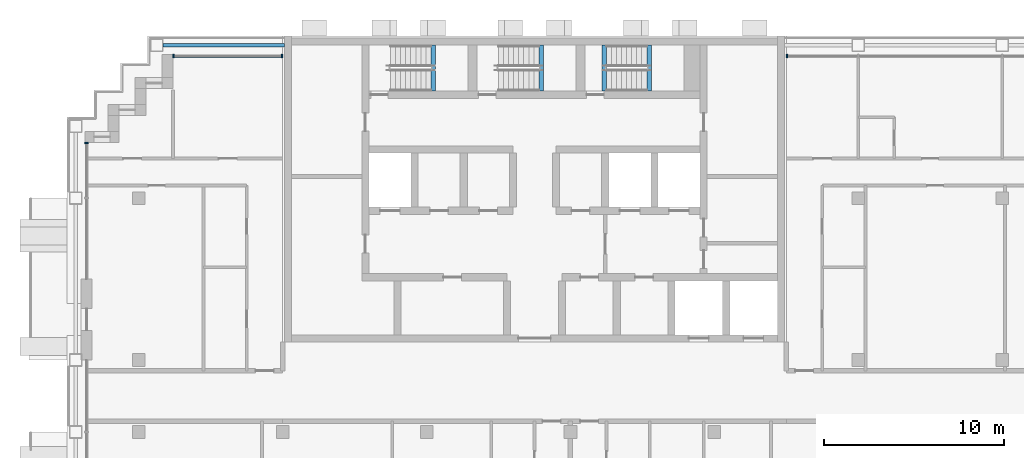
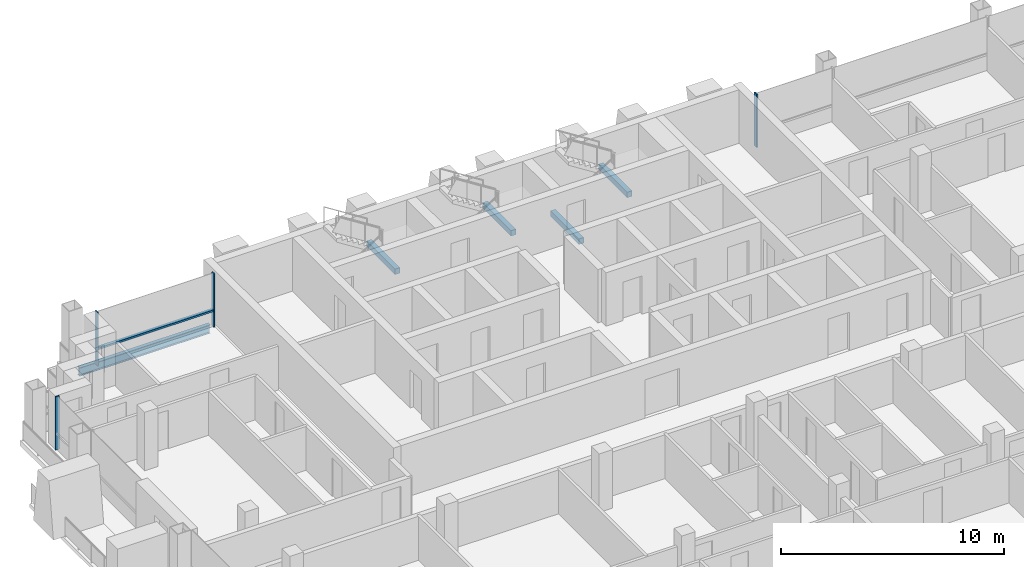
# One storey, part 4 of 16: 5 beams, 5 members, 3 elements without a shape of their own.
"""IFC4 building model written with IfcOpenShell, lengths in metres."""

from ifc_helpers import new_model, si_unit, direction, frame, origin, origin_2d, place, context, subcontext, project, spatial, rectangle, i_section, extrude, material, material_profile, profile_set, type_object, element, aggregate, save


model = new_model("IFC4")

# Units and contexts
model_context = context("Model", 3, precision=1e-05, world=origin(), true_north=direction((0.0, 1.0)))
body_context = subcontext(model_context, "Body", "Model", "MODEL_VIEW")
ifc_project = project(units=[si_unit("LENGTHUNIT", "METRE"), si_unit("AREAUNIT", "SQUARE_METRE"), si_unit("VOLUMEUNIT", "CUBIC_METRE"), si_unit("PLANEANGLEUNIT", "RADIAN"), si_unit("MASSUNIT", "GRAM", prefix="KILO")], contexts=[model_context])

# Site, building, storey
site_placement = place(None, origin())
site = spatial("IfcSite", under=ifc_project, at=site_placement, CompositionType="ELEMENT")
building_placement = place(site_placement, origin())
building = spatial("IfcBuilding", under=site, at=building_placement, Name="Vidyagriha Tower", CompositionType="ELEMENT")
storey_placement = place(building_placement, frame((0.0, 0.0, 174.89990234375)))
storey = spatial("IfcBuildingStorey", under=building, at=storey_placement, Name="L45", CompositionType="ELEMENT", Elevation=174.89990234375)

# Beam
ifc_material_1 = material(Name="Steel ASTM A992 Grade 50", Category="steel")
ifc_material_profile_1 = material_profile(ifc_material_1, i_section(OverallWidth=0.19189453125, OverallDepth=0.46240234375, WebThickness=0.010498046875, FlangeThickness=0.017578125, at=origin_2d()), Name="W18X60")
ifc_profile_set_1 = profile_set([ifc_material_profile_1], Name="Steel ASTM A992 Grade 50")
beam_type_1 = type_object("IfcBeamType", Name="Edge beam W18X60", PredefinedType="SPANDREL", material=ifc_profile_set_1)
beam_placement = place(storey_placement, frame((-20.64990234375, 19.5, -0.510986328125), z_axis=(1.0, 0.0, 0.0), x_axis=(0.0, 1.0, 0.0)))
element("IfcBeam", 1, at=beam_placement, inside=storey, type_object=beam_type_1, Name="st-beam-L45-NC20", PredefinedType="SPANDREL", context=body_context, shape_type="SweptSolid", body=[
    extrude(i_section(OverallWidth=0.19189453125, OverallDepth=0.46240234375, WebThickness=0.010498046875, FlangeThickness=0.017578125, at=origin_2d()), origin(), (0.0, 0.0, 1.0), 6.75),
])

# Curtain wall, member
ifc_material_2 = material(Name="Aluminium and glass curtain wall", Category="aluminium")
curtain_wall_type = type_object("IfcCurtainWallType", Name="Dwelling skin unitised curtain wall", PredefinedType="USERDEFINED", material=ifc_material_2)
curtain_wall_1_placement = place(storey_placement, origin())
curtain_wall_1 = element("IfcCurtainWall", 2, at=curtain_wall_1_placement, inside=storey, type_object=curtain_wall_type, Name="CW1 dwelling skin", ObjectType="UNITISED", PredefinedType="USERDEFINED")
ifc_material_3 = material(Name="Aluminium black anodised", Category="aluminium")
ifc_material_profile_2 = material_profile(ifc_material_3, rectangle(XDim=0.199951171875, YDim=0.070068359375, at=origin_2d()), Name="Mullion 70x200 black aluminium")
ifc_profile_set_2 = profile_set([ifc_material_profile_2], Name="Aluminium black anodised")
member_type_1 = type_object("IfcMemberType", Name="Mullion 70x200 black aluminium", PredefinedType="MULLION", material=ifc_profile_set_2)
member_1_placement = place(storey_placement, frame((14.034912109375, 18.89990234375, 0.0), z_axis=(0.0, 0.0, 1.0), x_axis=(0.0, -1.0, 0.0)))
member_1 = element("IfcMember", 3, at=member_1_placement, type_object=member_type_1, Name="CW1 mullion 4", PredefinedType="MULLION", context=body_context, shape_type="SweptSolid", body=[
    extrude(rectangle(XDim=0.199951171875, YDim=0.070068359375, at=origin_2d()), origin(), (0.0, 0.0, 1.0), 2.920166015625),
])
aggregate(curtain_wall_1, [member_1])

# Curtain wall, members
curtain_wall_2_placement = place(storey_placement, origin())
curtain_wall_2 = element("IfcCurtainWall", 4, at=curtain_wall_2_placement, inside=storey, type_object=curtain_wall_type, Name="CW1 dwelling skin", ObjectType="UNITISED", PredefinedType="USERDEFINED")
member_2_placement = place(storey_placement, frame((-14.034912109375, 18.89990234375, 0.0), z_axis=(0.0, 0.0, 1.0), x_axis=(0.0, -1.0, 0.0)))
member_2 = element("IfcMember", 5, at=member_2_placement, type_object=member_type_1, Name="CW1 mullion 1", PredefinedType="MULLION", context=body_context, shape_type="SweptSolid", body=[
    extrude(rectangle(XDim=0.199951171875, YDim=0.070068359375, at=origin_2d()), origin(), (0.0, 0.0, 1.0), 2.920166015625),
])
member_3_placement = place(storey_placement, frame((-20.06494140625, 18.89990234375, 0.0), z_axis=(0.0, 0.0, 1.0), x_axis=(0.0, -1.0, 0.0)))
member_3 = element("IfcMember", 6, at=member_3_placement, type_object=member_type_1, Name="CW1 mullion 2", PredefinedType="MULLION", context=body_context, shape_type="SweptSolid", body=[
    extrude(rectangle(XDim=0.199951171875, YDim=0.070068359375, at=origin_2d()), origin(), (0.0, 0.0, 1.0), 2.920166015625),
])

# Curtain wall, member
curtain_wall_3_placement = place(storey_placement, origin())
curtain_wall_3 = element("IfcCurtainWall", 7, at=curtain_wall_3_placement, inside=storey, type_object=curtain_wall_type, Name="CW1 dwelling skin", ObjectType="UNITISED", PredefinedType="USERDEFINED")
member_4_placement = place(storey_placement, frame((-24.89990234375, 14.06494140625, 0.0)))
member_4 = element("IfcMember", 8, at=member_4_placement, type_object=member_type_1, Name="CW1 mullion 1", PredefinedType="MULLION", context=body_context, shape_type="SweptSolid", body=[
    extrude(rectangle(XDim=0.199951171875, YDim=0.070068359375, at=origin_2d()), origin(), (0.0, 0.0, 1.0), 2.920166015625),
])
aggregate(curtain_wall_3, [member_4])

# Beams
ifc_material_4 = material(Name="Concrete C40/50", Category="concrete")
ifc_material_profile_3 = material_profile(ifc_material_4, rectangle(XDim=0.25, YDim=0.300048828125, at=origin_2d()), Name="Stair landing bearing beam 250x300")
ifc_profile_set_3 = profile_set([ifc_material_profile_3], Name="Concrete C40/50")
beam_type_2 = type_object("IfcBeamType", Name="Stair landing bearing beam 250x300", PredefinedType="BEAM", material=ifc_profile_set_3)
for number, where, z_axis, x_axis, name in (
    (9, (3.875, 16.949951171875, -0.429931640625), (0.0, 1.0, 0.0), (-1.0, 0.0, 0.0), "ST3 floor landing bearing beam L45"),
    (10, (-5.635009765625, 16.949951171875, 1.25), (0.0, 1.0, 0.0), (-1.0, 0.0, 0.0), "ST1 landing bearing beam L45"),
    (11, (0.364990234375, 16.949951171875, 1.25), (0.0, 1.0, 0.0), (-1.0, 0.0, 0.0), "ST2 landing bearing beam L45"),
    (12, (6.364990234375, 16.949951171875, 1.25), (0.0, 1.0, 0.0), (-1.0, 0.0, 0.0), "ST3 landing bearing beam L45"),
):
    element("IfcBeam", number, at=place(storey_placement, frame(where, z_axis=z_axis, x_axis=x_axis)), inside=storey, type_object=beam_type_2, Name=name, PredefinedType="BEAM", context=body_context, shape_type="SweptSolid", body=[
        extrude(rectangle(XDim=0.25, YDim=0.300048828125, at=origin_2d()), origin(), (0.0, 0.0, 1.0), 2.550048828125),
    ])

# Member
ifc_material_5 = material(Name="Aluminium black anodised", Category="aluminium")
ifc_material_profile_4 = material_profile(ifc_material_5, rectangle(XDim=0.159912109375, YDim=0.10009765625, at=origin_2d()), Name="Transom 100x160 black aluminium")
ifc_profile_set_4 = profile_set([ifc_material_profile_4], Name="Aluminium black anodised")
member_type_2 = type_object("IfcMemberType", Name="Transom 100x160 black aluminium", PredefinedType="USERDEFINED", material=ifc_profile_set_4)
member_5_placement = place(storey_placement, frame((-14.070068359375, 18.89990234375, 0.900146484375), z_axis=(-1.0, 0.0, 0.0), x_axis=(0.0, -1.0, 0.0)))
member_5 = element("IfcMember", 13, at=member_5_placement, type_object=member_type_2, Name="CW1 transom 1.1", ObjectType="TRANSOM", PredefinedType="USERDEFINED", context=body_context, shape_type="SweptSolid", body=[
    extrude(rectangle(XDim=0.159912109375, YDim=0.10009765625, at=origin_2d()), origin(), (0.0, 0.0, 1.0), 5.9599609375),
])

aggregate(curtain_wall_2, [member_2, member_3, member_5])

save(model, "model.ifc")
